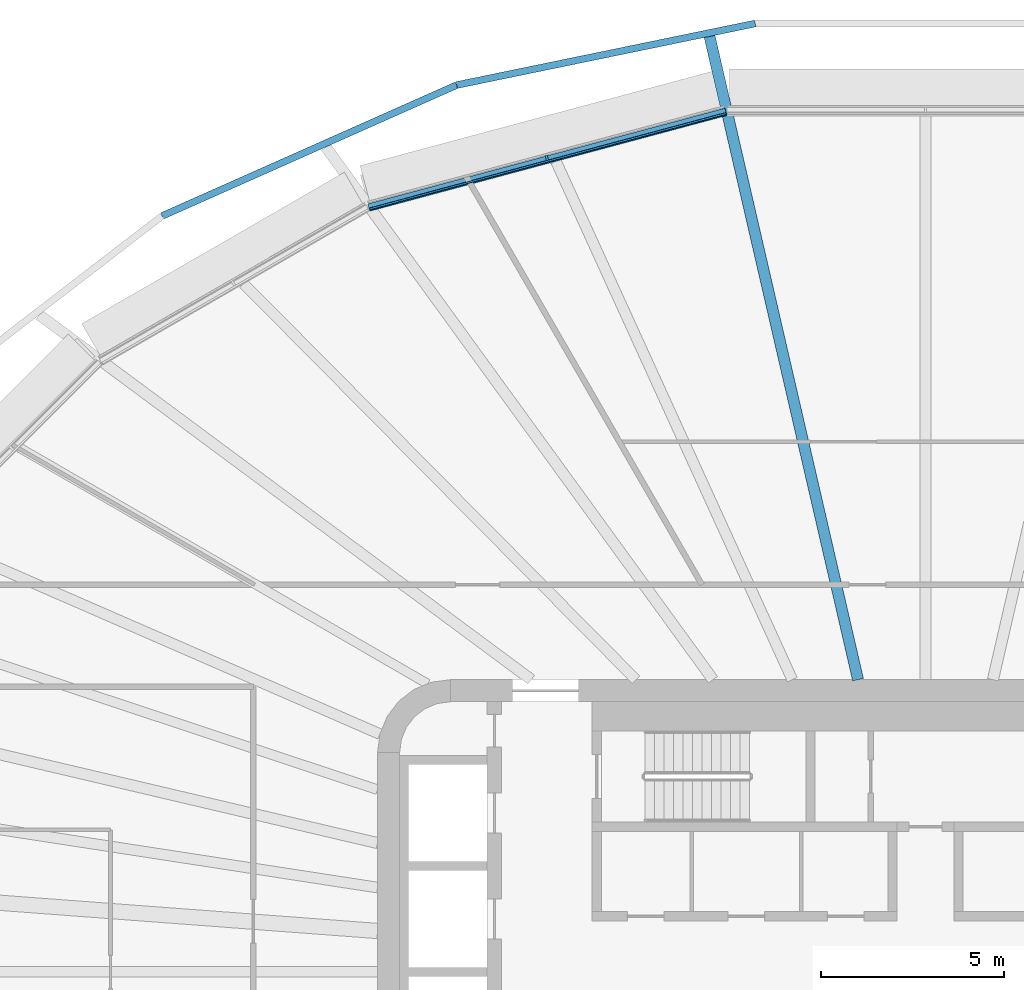
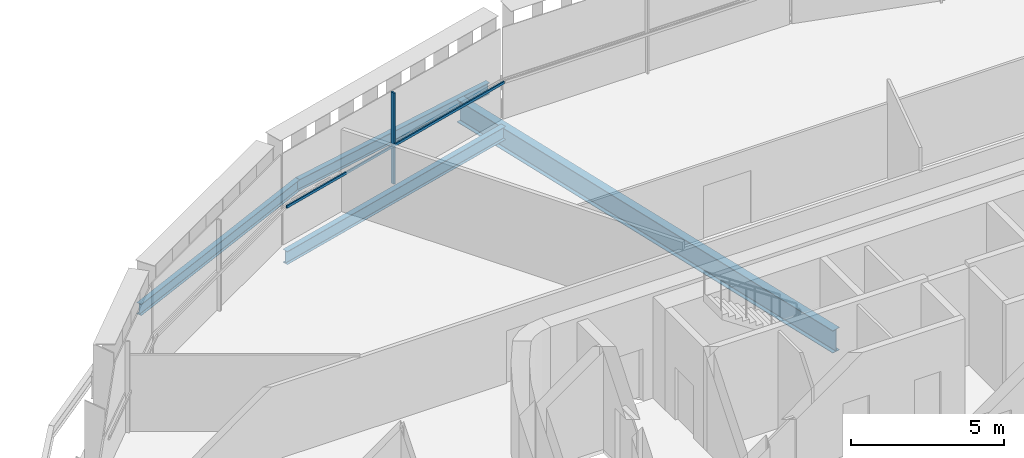
# One storey, part 8 of 25: 4 beams, 2 members, 1 element without a shape of its own.
"""IFC4 building model written with IfcOpenShell, lengths in metres."""

from ifc_helpers import new_model, si_unit, direction, frame, origin, origin_2d, place, context, subcontext, project, spatial, rectangle, i_section, extrude, material, layer, layer_set, material_profile, profile_set, type_object, element, aggregate, save


model = new_model("IFC4")

# Units and contexts
model_context = context("Model", 3, precision=1e-05, world=origin(), true_north=direction((0.0, 1.0)))
body_context = subcontext(model_context, "Body", "Model", "MODEL_VIEW")
ifc_project = project(units=[si_unit("LENGTHUNIT", "METRE"), si_unit("AREAUNIT", "SQUARE_METRE"), si_unit("VOLUMEUNIT", "CUBIC_METRE"), si_unit("PLANEANGLEUNIT", "RADIAN"), si_unit("MASSUNIT", "GRAM", prefix="KILO")], contexts=[model_context])

# Site, building, storey
site_placement = place(None, origin())
site = spatial("IfcSite", under=ifc_project, at=site_placement, CompositionType="ELEMENT")
building_placement = place(site_placement, origin())
building = spatial("IfcBuilding", under=site, at=building_placement, Name="Sahrelin Media Tower", CompositionType="ELEMENT")
storey_placement = place(building_placement, frame((0.0, 0.0, 139.800048828125)))
storey = spatial("IfcBuildingStorey", under=building, at=storey_placement, Name="L28", CompositionType="ELEMENT", Elevation=139.800048828125)

# Beam
ifc_material_1 = material(Name="Steel S355", Category="steel")
ifc_material_profile_1 = material_profile(ifc_material_1, i_section(OverallWidth=0.208740234375, OverallDepth=0.5283203125, WebThickness=0.009521484375, FlangeThickness=0.01318359375, FilletRadius=0.0126953125, at=origin_2d()), Name="UB 533x210x82")
ifc_profile_set_1 = profile_set([ifc_material_profile_1], Name="Steel S355")
beam_type_1 = type_object("IfcBeamType", Name="Edge beam EB6", PredefinedType="BEAM", material=ifc_profile_set_1)
beam_1_placement = place(storey_placement, frame((-15.23779296875, 20.9228515625, -0.4140625), z_axis=(0.96592349726, 0.258827737002, 0.0), x_axis=(-0.258827737002, 0.96592349726, 0.0)))
element("IfcBeam", 1, at=beam_1_placement, inside=storey, type_object=beam_type_1, Name="Edge beam L28-18", PredefinedType="BEAM", context=body_context, shape_type="SweptSolid", body=[
    extrude(i_section(OverallWidth=0.208740234375, OverallDepth=0.5283203125, WebThickness=0.009521484375, FlangeThickness=0.01318359375, FilletRadius=0.0126953125, at=origin_2d()), origin(), (0.0, 0.0, 1.0), 10.119140625),
])

# Curtain wall, member
ifc_material_2 = material(Name="Champagne anodised aluminium 6063-T6", Category="aluminium")
ifc_layer = layer(ifc_material_2, 0.14990234375)
ifc_layer_set = layer_set([ifc_layer], Name="Tower ribbon curtain wall")
curtain_wall_type = type_object("IfcCurtainWallType", Name="Tower ribbon curtain wall", PredefinedType="NOTDEFINED", material=ifc_layer_set)
curtain_wall_placement = place(storey_placement, frame((-10.389404296875, 22.377197265625, 0.0), z_axis=(0.0, 0.0, 1.0), x_axis=(1.0, 0.0, 0.0)))
curtain_wall = element("IfcCurtainWall", 2, at=curtain_wall_placement, inside=storey, type_object=curtain_wall_type, Name="L28:CW:L28-07", PredefinedType="NOTDEFINED")
ifc_material_profile_2 = material_profile(ifc_material_2, rectangle(XDim=0.06005859375, YDim=0.14990234375, at=origin_2d()), Name="Mullion 60x150")
ifc_profile_set_2 = profile_set([ifc_material_profile_2], Name="Champagne anodised aluminium 6063-T6")
member_type_1 = type_object("IfcMemberType", Name="Mullion 60x150 CW1", PredefinedType="MULLION", material=ifc_profile_set_2)
member_1_placement = place(storey_placement, frame((-10.364990234375, 22.285400390625, 0.0), z_axis=(0.0, 0.0, 1.0), x_axis=(-0.965925826289, -0.258819045103, 0.0)))
member_1 = element("IfcMember", 3, at=member_1_placement, type_object=member_type_1, Name="L28:CWM:L28-07", PredefinedType="MULLION", context=body_context, shape_type="SweptSolid", body=[
    extrude(rectangle(XDim=0.06005859375, YDim=0.14990234375, at=origin_2d()), origin(), (0.0, 0.0, 1.0), 3.6484375),
])

# Beams
ifc_material_profile_3 = material_profile(ifc_material_1, i_section(OverallWidth=0.30322265625, OverallDepth=0.903076171875, WebThickness=0.01513671875, FlangeThickness=0.020263671875, FilletRadius=0.01904296875, at=origin_2d()), Name="UB 914x305x201")
ifc_profile_set_3 = profile_set([ifc_material_profile_3], Name="Steel S355")
beam_type_2 = type_object("IfcBeamType", Name="Radial primary beam PB11", PredefinedType="BEAM", material=ifc_profile_set_3)
beam_2_placement = place(storey_placement, frame((-1.846435546875, 8.0, -0.6015625), z_axis=(-0.224893056719, 0.974383452774, 0.0), x_axis=(-0.974383452774, -0.224893056719, 0.0)))
element("IfcBeam", 4, at=beam_2_placement, inside=storey, type_object=beam_type_2, Name="Radial beam L28-07", PredefinedType="BEAM", context=body_context, shape_type="SweptSolid", body=[
    extrude(i_section(OverallWidth=0.30322265625, OverallDepth=0.903076171875, WebThickness=0.01513671875, FlangeThickness=0.020263671875, FilletRadius=0.01904296875, at=origin_2d()), origin(), (0.0, 0.0, 1.0), 18.069580078125),
])
ifc_material_profile_4 = material_profile(ifc_material_1, i_section(OverallWidth=0.1904296875, OverallDepth=0.45703125, WebThickness=0.009033203125, FlangeThickness=0.014404296875, FilletRadius=0.01025390625, at=origin_2d()), Name="UB 457x191x74")
ifc_profile_set_4 = profile_set([ifc_material_profile_4], Name="Steel S355")
beam_type_3 = type_object("IfcBeamType", Name="Tie chord TC5", PredefinedType="BEAM", material=ifc_profile_set_4)
beam_3_placement = place(storey_placement, frame((-4.65869140625, 25.9619140625, -0.378662109375), z_axis=(-0.979388144388, -0.201987283341, 0.0), x_axis=(0.201987283341, -0.979388144388, 0.0)))
element("IfcBeam", 5, at=beam_3_placement, inside=storey, type_object=beam_type_3, Name="Tie chord L28-07", PredefinedType="BEAM", context=body_context, shape_type="SweptSolid", body=[
    extrude(i_section(OverallWidth=0.1904296875, OverallDepth=0.45703125, WebThickness=0.009033203125, FlangeThickness=0.014404296875, FilletRadius=0.01025390625, at=origin_2d()), origin(), (0.0, 0.0, 1.0), 8.343505859375),
])
beam_4_placement = place(storey_placement, frame((-12.830322265625, 24.276611328125, -0.378662109375), z_axis=(-0.913829789839, -0.406097420827, 0.0), x_axis=(0.406097420827, -0.913829789839, 0.0)))
element("IfcBeam", 6, at=beam_4_placement, inside=storey, type_object=beam_type_3, Name="Tie chord L28-08", PredefinedType="BEAM", context=body_context, shape_type="SweptSolid", body=[
    extrude(i_section(OverallWidth=0.1904296875, OverallDepth=0.45703125, WebThickness=0.009033203125, FlangeThickness=0.014404296875, FilletRadius=0.01025390625, at=origin_2d()), origin(), (0.0, 0.0, 1.0), 8.830322265625),
])

# Member
ifc_material_profile_5 = material_profile(ifc_material_2, rectangle(XDim=0.050048828125, YDim=0.10009765625, at=origin_2d()), Name="Transom 50x100")
ifc_profile_set_5 = profile_set([ifc_material_profile_5], Name="Champagne anodised aluminium 6063-T6")
member_type_2 = type_object("IfcMemberType", Name="Transom 50x100 CW1", PredefinedType="USERDEFINED", material=ifc_profile_set_5)
member_2_placement = place(storey_placement, frame((-5.466796875, 23.494384765625, 1.599853515625), z_axis=(-0.965928174808, -0.258810280151, 0.0), x_axis=(0.258810280151, -0.965928174808, 0.0)))
member_2 = element("IfcMember", 7, at=member_2_placement, type_object=member_type_2, Name="L28:CWT:L28-07", ObjectType="TRANSOM", PredefinedType="USERDEFINED", context=body_context, shape_type="SweptSolid", body=[
    extrude(rectangle(XDim=0.050048828125, YDim=0.10009765625, at=origin_2d()), origin(), (0.0, 0.0, 1.0), 10.087890625),
])

aggregate(curtain_wall, [member_1, member_2])

save(model, "model.ifc")
